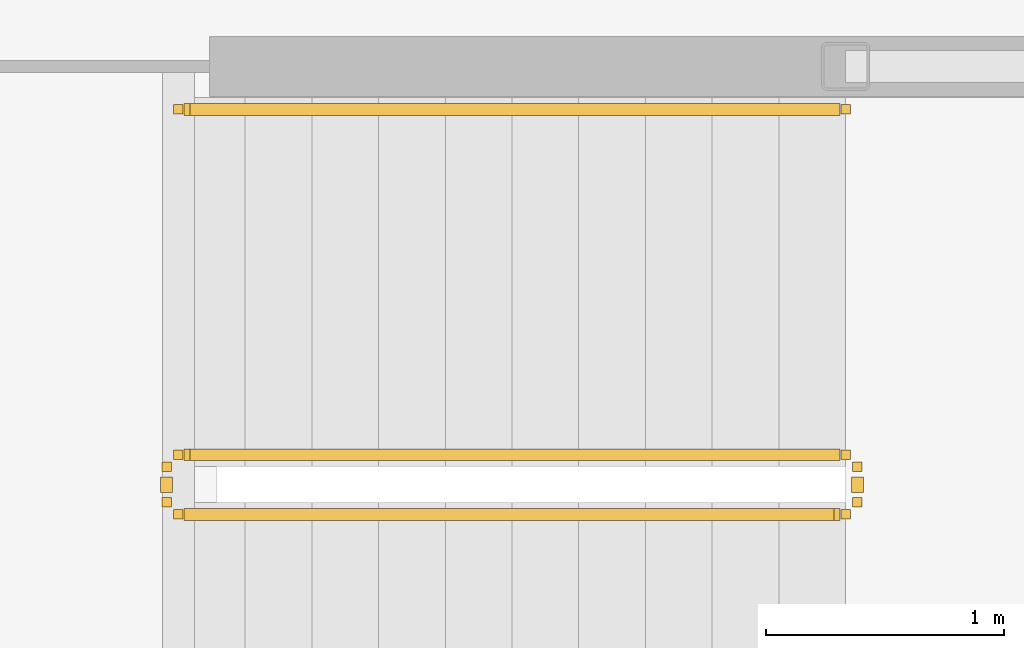
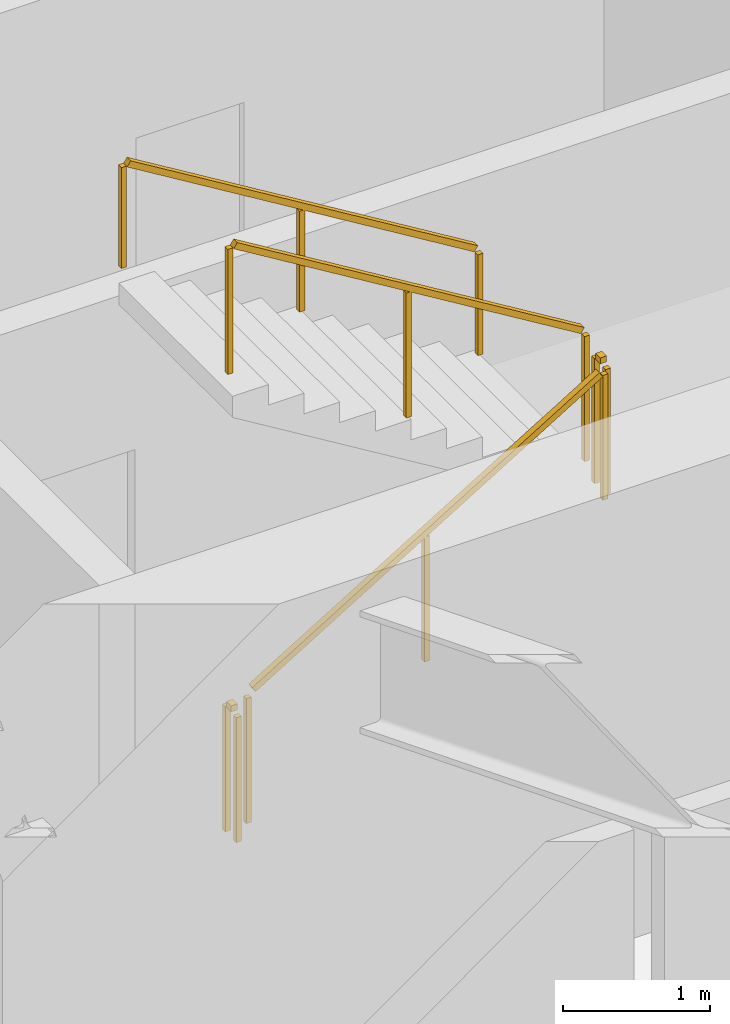
# One storey, part 20 of 23: 5 railings.
"""IFC4 building model written with IfcOpenShell, lengths in metres."""

from ifc_helpers import new_model, si_unit, direction, frame, origin, origin_2d, place, context, subcontext, project, spatial, rectangle, extrude, material, type_object, element, save


model = new_model("IFC4")

# Units and contexts
model_context = context("Model", 3, precision=1e-05, world=origin(), true_north=direction((0.0, 1.0)))
body_context = subcontext(model_context, "Body", "Model", "MODEL_VIEW")
ifc_project = project(units=[si_unit("LENGTHUNIT", "METRE"), si_unit("AREAUNIT", "SQUARE_METRE"), si_unit("VOLUMEUNIT", "CUBIC_METRE"), si_unit("PLANEANGLEUNIT", "RADIAN"), si_unit("MASSUNIT", "GRAM", prefix="KILO")], contexts=[model_context])

# Site, building, storey
site_placement = place(None, origin())
site = spatial("IfcSite", under=ifc_project, at=site_placement, CompositionType="ELEMENT")
building_placement = place(site_placement, origin())
building = spatial("IfcBuilding", under=site, at=building_placement, Name="Kazma Halo Residences", CompositionType="ELEMENT")
storey_placement = place(building_placement, frame((0.0, 0.0, 112.64990234375)))
storey = spatial("IfcBuildingStorey", under=building, at=storey_placement, Name="L28", CompositionType="ELEMENT", Elevation=112.64990234375)

# Railings
ifc_material_1 = material(Name="Painted Steel S355", Category="steel")
railing_type_1 = type_object("IfcRailingType", Name="RLG-STAIR-GRD-1100", PredefinedType="GUARDRAIL", material=ifc_material_1)
railing_1_placement = place(storey_placement, frame((53.199951171875, 35.5, 0.170654296875)))
element("IfcRailing", 1, at=railing_1_placement, inside=storey, type_object=railing_type_1, Name="L28 ST-03 stair guard 1", PredefinedType="GUARDRAIL", context=body_context, shape_type="SweptSolid", body=[
    extrude(rectangle(XDim=0.050048828125, YDim=0.050048828125, at=origin_2d()), frame((0.036376953125, 0.0, 1.09716796875), z_axis=(0.854202870247, 0.0, 0.519939858505), x_axis=(0.0, 1.0, 0.0)), (0.0, 0.0, 1.0), 3.19287109375),
    extrude(rectangle(XDim=0.0400390625, YDim=0.0400390625, at=origin_2d()), origin(), (0.0, 0.0, 1.0), 1.0380859375),
    extrude(rectangle(XDim=0.0400390625, YDim=0.0400390625, at=origin_2d()), frame((1.39990234375, 0.0, 0.85205078125)), (0.0, 0.0, 1.0), 1.0380859375),
    extrude(rectangle(XDim=0.0400390625, YDim=0.0400390625, at=origin_2d()), frame((2.800048828125, 0.0, 1.704345703125)), (0.0, 0.0, 1.0), 1.0380859375),
])
railing_2_placement = place(storey_placement, frame((56.050048828125, 35.550048828125, 1.875)))
element("IfcRailing", 2, at=railing_2_placement, inside=storey, type_object=railing_type_1, Name="L28 ST-03 stair guard 2", PredefinedType="GUARDRAIL", context=body_context, shape_type="SweptSolid", body=[
    extrude(rectangle(XDim=0.050048828125, YDim=0.050048828125, at=origin_2d()), frame((0.0, 0.04248046875, 1.0751953125), z_axis=(0.0, 1.0, 0.0), x_axis=(-1.0, 0.0, 0.0)), (0.0, 0.0, 1.0), 0.06494140625),
    extrude(rectangle(XDim=0.0400390625, YDim=0.0400390625, at=origin_2d()), origin(), (0.0, 0.0, 1.0), 1.0380859375),
    extrude(rectangle(XDim=0.0400390625, YDim=0.0400390625, at=origin_2d()), frame((0.0, 0.14990234375, 0.0)), (0.0, 0.0, 1.0), 1.0380859375),
])
railing_3_placement = place(storey_placement, frame((56.0, 35.75, 2.045654296875)))
element("IfcRailing", 3, at=railing_3_placement, inside=storey, type_object=railing_type_1, Name="L28 ST-03 stair guard 3", PredefinedType="GUARDRAIL", context=body_context, shape_type="SweptSolid", body=[
    extrude(rectangle(XDim=0.050048828125, YDim=0.050048828125, at=origin_2d()), frame((-0.036376953125, 0.0, 1.09716796875), z_axis=(-0.854202870247, 0.0, 0.519939858505), x_axis=(0.0, -1.0, 0.0)), (0.0, 0.0, 1.0), 3.19287109375),
    extrude(rectangle(XDim=0.0400390625, YDim=0.0400390625, at=origin_2d()), origin(), (0.0, 0.0, 1.0), 1.0380859375),
    extrude(rectangle(XDim=0.0400390625, YDim=0.0400390625, at=origin_2d()), frame((-1.39990234375, 0.0, 0.85205078125)), (0.0, 0.0, 1.0), 1.0380859375),
    extrude(rectangle(XDim=0.0400390625, YDim=0.0400390625, at=origin_2d()), frame((-2.800048828125, 0.0, 1.704345703125)), (0.0, 0.0, 1.0), 1.0380859375),
])
railing_4_placement = place(storey_placement, frame((53.14990234375, 35.550048828125, 0.0)))
element("IfcRailing", 4, at=railing_4_placement, inside=storey, type_object=railing_type_1, Name="L28 ST-03 stair guard 4", PredefinedType="GUARDRAIL", context=body_context, shape_type="SweptSolid", body=[
    extrude(rectangle(XDim=0.050048828125, YDim=0.050048828125, at=origin_2d()), frame((0.0, 0.04248046875, 1.0751953125), z_axis=(0.0, 1.0, 0.0), x_axis=(-1.0, 0.0, 0.0)), (0.0, 0.0, 1.0), 0.06494140625),
    extrude(rectangle(XDim=0.0400390625, YDim=0.0400390625, at=origin_2d()), origin(), (0.0, 0.0, 1.0), 1.0380859375),
    extrude(rectangle(XDim=0.0400390625, YDim=0.0400390625, at=origin_2d()), frame((0.0, 0.14990234375, 0.0)), (0.0, 0.0, 1.0), 1.0380859375),
])
ifc_material_2 = material(Name="Brushed Stainless Steel", Category="steel")
railing_type_2 = type_object("IfcRailingType", Name="RLG-STAIR-HND-900", PredefinedType="HANDRAIL", material=ifc_material_2)
railing_5_placement = place(storey_placement, frame((56.0, 37.199951171875, 2.045654296875)))
element("IfcRailing", 5, at=railing_5_placement, inside=storey, type_object=railing_type_2, Name="L28 ST-03 stair handrail 2", PredefinedType="HANDRAIL", context=body_context, shape_type="SweptSolid", body=[
    extrude(rectangle(XDim=0.050048828125, YDim=0.050048828125, at=origin_2d()), frame((-0.036376953125, 0.0, 0.89697265625), z_axis=(-0.854202870247, 0.0, 0.519939858505), x_axis=(0.0, -1.0, 0.0)), (0.0, 0.0, 1.0), 3.19287109375),
    extrude(rectangle(XDim=0.0400390625, YDim=0.0400390625, at=origin_2d()), origin(), (0.0, 0.0, 1.0), 0.837890625),
    extrude(rectangle(XDim=0.0400390625, YDim=0.0400390625, at=origin_2d()), frame((-1.39990234375, 0.0, 0.85205078125)), (0.0, 0.0, 1.0), 0.837890625),
    extrude(rectangle(XDim=0.0400390625, YDim=0.0400390625, at=origin_2d()), frame((-2.800048828125, 0.0, 1.704345703125)), (0.0, 0.0, 1.0), 0.837890625),
])

save(model, "model.ifc")
